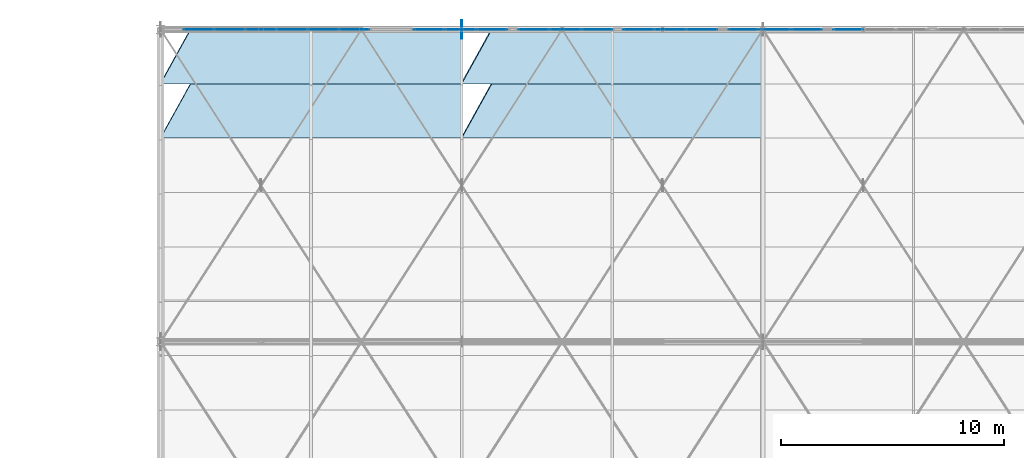
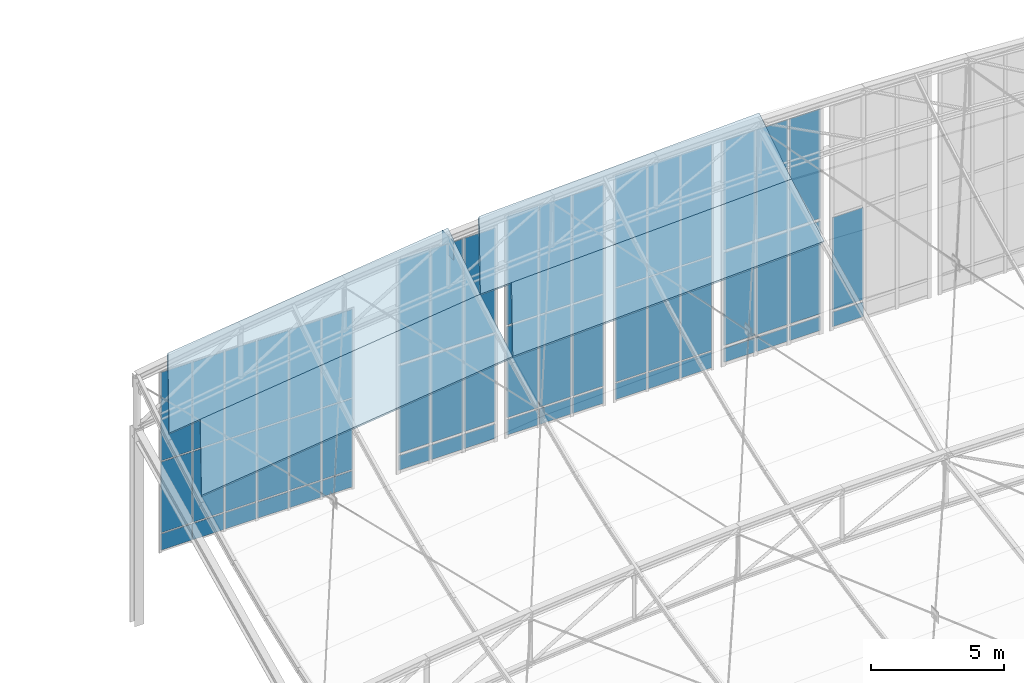
# One storey, part 236 of 262: 57 plates, 4 slabs, 6 elements without a shape of their own.
"""IFC4 building model written with IfcOpenShell, lengths in metres."""

from ifc_helpers import new_model, si_unit, derived_unit, direction, frame, origin, origin_2d, place, context, subcontext, project, spatial, polyline, rectangle, outline, extrude, material, layer, layer_set, type_object, element, aggregate, save


model = new_model("IFC4")

# Units and contexts
model_context = context("Model", 3, precision=1e-05, world=origin(), true_north=direction((0.0, 1.0)))
body_context = subcontext(model_context, "Body", "Model", "MODEL_VIEW")
ifc_project = project(units=[si_unit("LENGTHUNIT", "METRE"), si_unit("AREAUNIT", "SQUARE_METRE"), si_unit("VOLUMEUNIT", "CUBIC_METRE"), si_unit("PLANEANGLEUNIT", "RADIAN"), si_unit("MASSUNIT", "GRAM", prefix="KILO"), derived_unit("THERMALTRANSMITTANCEUNIT", [(si_unit("POWERUNIT", "WATT"), 1), (si_unit("LENGTHUNIT", "METRE"), -2), (si_unit("THERMODYNAMICTEMPERATUREUNIT", "KELVIN"), -1)])], contexts=[model_context])

# Site, building, storey
site_placement = place(None, origin())
site = spatial("IfcSite", under=ifc_project, at=site_placement, CompositionType="ELEMENT")
building_placement = place(site_placement, origin())
building = spatial("IfcBuilding", under=site, at=building_placement, Name="Almenara Railside Exhibition Hall", CompositionType="ELEMENT")
storey_placement = place(building_placement, frame((0.0, 0.0, 21.699951171875)))
storey = spatial("IfcBuildingStorey", under=building, at=storey_placement, Name="RF", CompositionType="ELEMENT", Elevation=21.699951171875)

# Curtain wall, plates
ifc_material_1 = material(Name="Bronze-anodised aluminium and low-E double glazing", Category="aluminium")
ifc_layer_1 = layer(ifc_material_1, 0.179931640625, Name="Bronze-anodised aluminium and low-E double glazing")
ifc_layer_set_1 = layer_set([ifc_layer_1], Name="Bronze-anodised aluminium and low-E double glazing")
curtain_wall_type_1 = type_object("IfcCurtainWallType", Name="Scroll Gable Tall Curtain Wall 3800x5400", PredefinedType="NOTDEFINED", material=ifc_layer_set_1)
curtain_wall_1_placement = place(storey_placement, origin())
curtain_wall_1 = element("IfcCurtainWall", 1, at=curtain_wall_1_placement, inside=storey, type_object=curtain_wall_type_1, Name="Curtain wall CW-G1-225", PredefinedType="NOTDEFINED")
ifc_material_2 = material(Name="Solar-control acoustic laminated glazing", Category="glass")
ifc_layer_2 = layer(ifc_material_2, 0.031982421875, Name="Solar-control acoustic laminated glazing")
ifc_layer_set_2 = layer_set([ifc_layer_2], Name="Solar-control acoustic laminated glazing")
plate_type_1 = type_object("IfcPlateType", Name="Acoustic Low-E Double Glazing Panel 32mm", PredefinedType="CURTAIN_PANEL", material=ifc_layer_set_2)
plate_1_placement = place(storey_placement, frame((150.032958984375, 132.0, -6.576171875), z_axis=(0.0, 0.0, 1.0), x_axis=(1.0, 0.0, 0.0)))
plate_1 = element("IfcPlate", 2, at=plate_1_placement, type_object=plate_type_1, Name="CW-G1-225 panel 1.1", PredefinedType="CURTAIN_PANEL", context=body_context, shape_type="SweptSolid", body=[
    extrude(rectangle(XDim=1.351806640625, YDim=0.031982421875, at=origin_2d()), origin(), (0.0, 0.0, 1.0), 0.672119140625),
])
plate_2_placement = place(storey_placement, frame((150.032958984375, 132.0, -5.7958984375), z_axis=(0.0, 0.0, 1.0), x_axis=(1.0, 0.0, 0.0)))
plate_2 = element("IfcPlate", 3, at=plate_2_placement, type_object=plate_type_1, Name="CW-G1-225 panel 1.2", PredefinedType="CURTAIN_PANEL", context=body_context, shape_type="SweptSolid", body=[
    extrude(rectangle(XDim=1.351806640625, YDim=0.031982421875, at=origin_2d()), origin(), (0.0, 0.0, 1.0), 3.991943359375),
])
plate_3_placement = place(storey_placement, frame((150.032958984375, 132.0, -1.696044921875), z_axis=(0.0, 0.0, 1.0), x_axis=(1.0, 0.0, 0.0)))
plate_3 = element("IfcPlate", 4, at=plate_3_placement, type_object=plate_type_1, Name="CW-G1-225 panel 1.3", PredefinedType="CURTAIN_PANEL", context=body_context, shape_type="SweptSolid", body=[
    extrude(rectangle(XDim=1.351806640625, YDim=0.031982421875, at=origin_2d()), origin(), (0.0, 0.0, 1.0), 4.77197265625),
])
plate_4_placement = place(storey_placement, frame((151.449951171875, 132.0, -6.576171875), z_axis=(0.0, 0.0, 1.0), x_axis=(1.0, 0.0, 0.0)))
plate_4 = element("IfcPlate", 5, at=plate_4_placement, type_object=plate_type_1, Name="CW-G1-225 panel 2.1", PredefinedType="CURTAIN_PANEL", context=body_context, shape_type="SweptSolid", body=[
    extrude(rectangle(XDim=1.38427734375, YDim=0.031982421875, at=origin_2d()), origin(), (0.0, 0.0, 1.0), 0.672119140625),
])
plate_5_placement = place(storey_placement, frame((151.449951171875, 132.0, -5.7958984375), z_axis=(0.0, 0.0, 1.0), x_axis=(1.0, 0.0, 0.0)))
plate_5 = element("IfcPlate", 6, at=plate_5_placement, type_object=plate_type_1, Name="CW-G1-225 panel 2.2", PredefinedType="CURTAIN_PANEL", context=body_context, shape_type="SweptSolid", body=[
    extrude(rectangle(XDim=1.38427734375, YDim=0.031982421875, at=origin_2d()), origin(), (0.0, 0.0, 1.0), 3.991943359375),
])
plate_6_placement = place(storey_placement, frame((151.449951171875, 132.0, -1.696044921875), z_axis=(0.0, 0.0, 1.0), x_axis=(1.0, 0.0, 0.0)))
plate_6 = element("IfcPlate", 7, at=plate_6_placement, type_object=plate_type_1, Name="CW-G1-225 panel 2.3", PredefinedType="CURTAIN_PANEL", context=body_context, shape_type="SweptSolid", body=[
    extrude(rectangle(XDim=1.38427734375, YDim=0.031982421875, at=origin_2d()), origin(), (0.0, 0.0, 1.0), 4.77197265625),
])
plate_7_placement = place(storey_placement, frame((152.8671875, 132.0, -6.576171875), z_axis=(0.0, 0.0, 1.0), x_axis=(1.0, 0.0, 0.0)))
plate_7 = element("IfcPlate", 8, at=plate_7_placement, type_object=plate_type_1, Name="CW-G1-225 panel 3.1", PredefinedType="CURTAIN_PANEL", context=body_context, shape_type="SweptSolid", body=[
    extrude(rectangle(XDim=1.351806640625, YDim=0.031982421875, at=origin_2d()), origin(), (0.0, 0.0, 1.0), 0.672119140625),
])
plate_8_placement = place(storey_placement, frame((152.8671875, 132.0, -5.7958984375), z_axis=(0.0, 0.0, 1.0), x_axis=(1.0, 0.0, 0.0)))
plate_8 = element("IfcPlate", 9, at=plate_8_placement, type_object=plate_type_1, Name="CW-G1-225 panel 3.2", PredefinedType="CURTAIN_PANEL", context=body_context, shape_type="SweptSolid", body=[
    extrude(rectangle(XDim=1.351806640625, YDim=0.031982421875, at=origin_2d()), origin(), (0.0, 0.0, 1.0), 3.991943359375),
])
plate_9_placement = place(storey_placement, frame((152.8671875, 132.0, -1.696044921875), z_axis=(0.0, 0.0, 1.0), x_axis=(1.0, 0.0, 0.0)))
plate_9 = element("IfcPlate", 10, at=plate_9_placement, type_object=plate_type_1, Name="CW-G1-225 panel 3.3", PredefinedType="CURTAIN_PANEL", context=body_context, shape_type="SweptSolid", body=[
    extrude(rectangle(XDim=1.351806640625, YDim=0.031982421875, at=origin_2d()), origin(), (0.0, 0.0, 1.0), 4.77197265625),
])
aggregate(curtain_wall_1, [plate_1, plate_2, plate_3, plate_4, plate_5, plate_6, plate_7, plate_8, plate_9])

curtain_wall_2_placement = place(storey_placement, origin())
curtain_wall_2 = element("IfcCurtainWall", 11, at=curtain_wall_2_placement, inside=storey, type_object=curtain_wall_type_1, Name="Curtain wall CW-G1-227", PredefinedType="NOTDEFINED")
ifc_material_3 = material(Name="Clear low-E laminated double glazing", Category="glass")
ifc_layer_3 = layer(ifc_material_3, 0.02392578125, Name="Clear low-E laminated double glazing")
ifc_layer_set_3 = layer_set([ifc_layer_3], Name="Clear low-E laminated double glazing")
plate_type_2 = type_object("IfcPlateType", Name="Courtyard Clear Double Glazing Panel 24mm", PredefinedType="CURTAIN_PANEL", material=ifc_layer_set_3)
plate_10_placement = place(storey_placement, frame((159.430419921875, 132.0, -6.6259765625), z_axis=(0.0, 0.0, 1.0), x_axis=(1.0, 0.0, 0.0)))
plate_10 = element("IfcPlate", 12, at=plate_10_placement, type_object=plate_type_2, Name="CW-G1-227 panel 1.1", PredefinedType="CURTAIN_PANEL", context=body_context, shape_type="SweptSolid", body=[
    extrude(rectangle(XDim=1.366943359375, YDim=0.02392578125, at=origin_2d()), origin(), (0.0, 0.0, 1.0), 0.7470703125),
])
plate_11_placement = place(storey_placement, frame((159.430419921875, 132.0, -5.821044921875), z_axis=(0.0, 0.0, 1.0), x_axis=(1.0, 0.0, 0.0)))
plate_11 = element("IfcPlate", 13, at=plate_11_placement, type_object=plate_type_2, Name="CW-G1-227 panel 1.2", PredefinedType="CURTAIN_PANEL", context=body_context, shape_type="SweptSolid", body=[
    extrude(rectangle(XDim=1.366943359375, YDim=0.02392578125, at=origin_2d()), origin(), (0.0, 0.0, 1.0), 4.2919921875),
])
plate_12_placement = place(storey_placement, frame((159.430419921875, 132.0, -1.470703125), z_axis=(0.0, 0.0, 1.0), x_axis=(1.0, 0.0, 0.0)))
plate_12 = element("IfcPlate", 14, at=plate_12_placement, type_object=plate_type_2, Name="CW-G1-227 panel 1.3", PredefinedType="CURTAIN_PANEL", context=body_context, shape_type="SweptSolid", body=[
    extrude(rectangle(XDim=1.366943359375, YDim=0.02392578125, at=origin_2d()), origin(), (0.0, 0.0, 1.0), 5.096923828125),
])
plate_13_placement = place(storey_placement, frame((160.85009765625, 132.0, -6.6259765625), z_axis=(0.0, 0.0, 1.0), x_axis=(1.0, 0.0, 0.0)))
plate_13 = element("IfcPlate", 15, at=plate_13_placement, type_object=plate_type_2, Name="CW-G1-227 panel 2.1", PredefinedType="CURTAIN_PANEL", context=body_context, shape_type="SweptSolid", body=[
    extrude(rectangle(XDim=1.394287109375, YDim=0.02392578125, at=origin_2d()), origin(), (0.0, 0.0, 1.0), 0.7470703125),
])
plate_14_placement = place(storey_placement, frame((160.85009765625, 132.0, -5.821044921875), z_axis=(0.0, 0.0, 1.0), x_axis=(1.0, 0.0, 0.0)))
plate_14 = element("IfcPlate", 16, at=plate_14_placement, type_object=plate_type_2, Name="CW-G1-227 panel 2.2", PredefinedType="CURTAIN_PANEL", context=body_context, shape_type="SweptSolid", body=[
    extrude(rectangle(XDim=1.394287109375, YDim=0.02392578125, at=origin_2d()), origin(), (0.0, 0.0, 1.0), 4.2919921875),
])
plate_15_placement = place(storey_placement, frame((160.85009765625, 132.0, -1.470703125), z_axis=(0.0, 0.0, 1.0), x_axis=(1.0, 0.0, 0.0)))
plate_15 = element("IfcPlate", 17, at=plate_15_placement, type_object=plate_type_2, Name="CW-G1-227 panel 2.3", PredefinedType="CURTAIN_PANEL", context=body_context, shape_type="SweptSolid", body=[
    extrude(rectangle(XDim=1.394287109375, YDim=0.02392578125, at=origin_2d()), origin(), (0.0, 0.0, 1.0), 5.096923828125),
])
plate_16_placement = place(storey_placement, frame((162.26953125, 132.0, -6.6259765625), z_axis=(0.0, 0.0, 1.0), x_axis=(1.0, 0.0, 0.0)))
plate_16 = element("IfcPlate", 18, at=plate_16_placement, type_object=plate_type_2, Name="CW-G1-227 panel 3.1", PredefinedType="CURTAIN_PANEL", context=body_context, shape_type="SweptSolid", body=[
    extrude(rectangle(XDim=1.366943359375, YDim=0.02392578125, at=origin_2d()), origin(), (0.0, 0.0, 1.0), 0.7470703125),
])
plate_17_placement = place(storey_placement, frame((162.26953125, 132.0, -5.821044921875), z_axis=(0.0, 0.0, 1.0), x_axis=(1.0, 0.0, 0.0)))
plate_17 = element("IfcPlate", 19, at=plate_17_placement, type_object=plate_type_2, Name="CW-G1-227 panel 3.2", PredefinedType="CURTAIN_PANEL", context=body_context, shape_type="SweptSolid", body=[
    extrude(rectangle(XDim=1.366943359375, YDim=0.02392578125, at=origin_2d()), origin(), (0.0, 0.0, 1.0), 4.2919921875),
])
plate_18_placement = place(storey_placement, frame((162.26953125, 132.0, -1.470703125), z_axis=(0.0, 0.0, 1.0), x_axis=(1.0, 0.0, 0.0)))
plate_18 = element("IfcPlate", 20, at=plate_18_placement, type_object=plate_type_2, Name="CW-G1-227 panel 3.3", PredefinedType="CURTAIN_PANEL", context=body_context, shape_type="SweptSolid", body=[
    extrude(rectangle(XDim=1.366943359375, YDim=0.02392578125, at=origin_2d()), origin(), (0.0, 0.0, 1.0), 5.096923828125),
])
aggregate(curtain_wall_2, [plate_10, plate_11, plate_12, plate_13, plate_14, plate_15, plate_16, plate_17, plate_18])

ifc_layer_4 = layer(ifc_material_1, 0.179931640625, Name="Bronze-anodised aluminium and low-E double glazing")
ifc_layer_set_4 = layer_set([ifc_layer_4], Name="Bronze-anodised aluminium and low-E double glazing")
curtain_wall_type_2 = type_object("IfcCurtainWallType", Name="Scroll Gable Standard Curtain Wall 3600x5000", PredefinedType="NOTDEFINED", material=ifc_layer_set_4)
curtain_wall_3_placement = place(storey_placement, origin())
curtain_wall_3 = element("IfcCurtainWall", 21, at=curtain_wall_3_placement, inside=storey, type_object=curtain_wall_type_2, Name="Curtain wall CW-G2-223", PredefinedType="NOTDEFINED")
ifc_material_4 = material(Name="Bronze-anodised insulated aluminium spandrel", Category="aluminium")
ifc_layer_5 = layer(ifc_material_4, 0.0400390625, Name="Bronze-anodised insulated aluminium spandrel")
ifc_layer_set_5 = layer_set([ifc_layer_5], Name="Bronze-anodised insulated aluminium spandrel")
plate_type_3 = type_object("IfcPlateType", Name="Insulated Bronze Spandrel Panel 40mm", PredefinedType="CURTAIN_PANEL", material=ifc_layer_set_5)
plate_19_placement = place(storey_placement, frame((139.7138671875, 132.0, -6.6259765625), z_axis=(0.0, 0.0, 1.0), x_axis=(1.0, 0.0, 0.0)))
plate_19 = element("IfcPlate", 22, at=plate_19_placement, type_object=plate_type_3, Name="CW-G2-223 panel 1.1", PredefinedType="CURTAIN_PANEL", context=body_context, shape_type="SweptSolid", body=[
    extrude(rectangle(XDim=1.33349609375, YDim=0.0400390625, at=origin_2d()), origin(), (0.0, 0.0, 1.0), 0.7470703125),
])
plate_20_placement = place(storey_placement, frame((139.7138671875, 132.0, -5.82080078125), z_axis=(0.0, 0.0, 1.0), x_axis=(1.0, 0.0, 0.0)))
plate_20 = element("IfcPlate", 23, at=plate_20_placement, type_object=plate_type_3, Name="CW-G2-223 panel 1.2", PredefinedType="CURTAIN_PANEL", context=body_context, shape_type="SweptSolid", body=[
    extrude(rectangle(XDim=1.33349609375, YDim=0.0400390625, at=origin_2d()), origin(), (0.0, 0.0, 1.0), 3.241943359375),
])
plate_21_placement = place(storey_placement, frame((139.7138671875, 132.0, -2.52099609375), z_axis=(0.0, 0.0, 1.0), x_axis=(1.0, 0.0, 0.0)))
plate_21 = element("IfcPlate", 24, at=plate_21_placement, type_object=plate_type_3, Name="CW-G2-223 panel 1.3", PredefinedType="CURTAIN_PANEL", context=body_context, shape_type="SweptSolid", body=[
    extrude(rectangle(XDim=1.33349609375, YDim=0.0400390625, at=origin_2d()), origin(), (0.0, 0.0, 1.0), 4.047119140625),
])
plate_22_placement = place(storey_placement, frame((141.10009765625, 132.0, -6.6259765625), z_axis=(0.0, 0.0, 1.0), x_axis=(1.0, 0.0, 0.0)))
plate_22 = element("IfcPlate", 25, at=plate_22_placement, type_object=plate_type_3, Name="CW-G2-223 panel 2.1", PredefinedType="CURTAIN_PANEL", context=body_context, shape_type="SweptSolid", body=[
    extrude(rectangle(XDim=1.361083984375, YDim=0.0400390625, at=origin_2d()), origin(), (0.0, 0.0, 1.0), 0.7470703125),
])
plate_23_placement = place(storey_placement, frame((141.10009765625, 132.0, -5.82080078125), z_axis=(0.0, 0.0, 1.0), x_axis=(1.0, 0.0, 0.0)))
plate_23 = element("IfcPlate", 26, at=plate_23_placement, type_object=plate_type_3, Name="CW-G2-223 panel 2.2", PredefinedType="CURTAIN_PANEL", context=body_context, shape_type="SweptSolid", body=[
    extrude(rectangle(XDim=1.361083984375, YDim=0.0400390625, at=origin_2d()), origin(), (0.0, 0.0, 1.0), 3.241943359375),
])
plate_24_placement = place(storey_placement, frame((141.10009765625, 132.0, -2.52099609375), z_axis=(0.0, 0.0, 1.0), x_axis=(1.0, 0.0, 0.0)))
plate_24 = element("IfcPlate", 27, at=plate_24_placement, type_object=plate_type_3, Name="CW-G2-223 panel 2.3", PredefinedType="CURTAIN_PANEL", context=body_context, shape_type="SweptSolid", body=[
    extrude(rectangle(XDim=1.361083984375, YDim=0.0400390625, at=origin_2d()), origin(), (0.0, 0.0, 1.0), 4.047119140625),
])
plate_25_placement = place(storey_placement, frame((142.5, 132.0, -6.6259765625), z_axis=(0.0, 0.0, 1.0), x_axis=(1.0, 0.0, 0.0)))
plate_25 = element("IfcPlate", 28, at=plate_25_placement, type_object=plate_type_3, Name="CW-G2-223 panel 3.1", PredefinedType="CURTAIN_PANEL", context=body_context, shape_type="SweptSolid", body=[
    extrude(rectangle(XDim=1.361083984375, YDim=0.0400390625, at=origin_2d()), origin(), (0.0, 0.0, 1.0), 0.7470703125),
])
plate_26_placement = place(storey_placement, frame((142.5, 132.0, -5.82080078125), z_axis=(0.0, 0.0, 1.0), x_axis=(1.0, 0.0, 0.0)))
plate_26 = element("IfcPlate", 29, at=plate_26_placement, type_object=plate_type_3, Name="CW-G2-223 panel 3.2", PredefinedType="CURTAIN_PANEL", context=body_context, shape_type="SweptSolid", body=[
    extrude(rectangle(XDim=1.361083984375, YDim=0.0400390625, at=origin_2d()), origin(), (0.0, 0.0, 1.0), 3.241943359375),
])
plate_27_placement = place(storey_placement, frame((142.5, 132.0, -2.52099609375), z_axis=(0.0, 0.0, 1.0), x_axis=(1.0, 0.0, 0.0)))
plate_27 = element("IfcPlate", 30, at=plate_27_placement, type_object=plate_type_3, Name="CW-G2-223 panel 3.3", PredefinedType="CURTAIN_PANEL", context=body_context, shape_type="SweptSolid", body=[
    extrude(rectangle(XDim=1.361083984375, YDim=0.0400390625, at=origin_2d()), origin(), (0.0, 0.0, 1.0), 4.047119140625),
])
plate_28_placement = place(storey_placement, frame((143.89990234375, 132.0, -6.6259765625), z_axis=(0.0, 0.0, 1.0), x_axis=(1.0, 0.0, 0.0)))
plate_28 = element("IfcPlate", 31, at=plate_28_placement, type_object=plate_type_3, Name="CW-G2-223 panel 4.1", PredefinedType="CURTAIN_PANEL", context=body_context, shape_type="SweptSolid", body=[
    extrude(rectangle(XDim=1.361083984375, YDim=0.0400390625, at=origin_2d()), origin(), (0.0, 0.0, 1.0), 0.7470703125),
])
plate_29_placement = place(storey_placement, frame((143.89990234375, 132.0, -5.82080078125), z_axis=(0.0, 0.0, 1.0), x_axis=(1.0, 0.0, 0.0)))
plate_29 = element("IfcPlate", 32, at=plate_29_placement, type_object=plate_type_3, Name="CW-G2-223 panel 4.2", PredefinedType="CURTAIN_PANEL", context=body_context, shape_type="SweptSolid", body=[
    extrude(rectangle(XDim=1.361083984375, YDim=0.0400390625, at=origin_2d()), origin(), (0.0, 0.0, 1.0), 3.241943359375),
])
plate_30_placement = place(storey_placement, frame((143.89990234375, 132.0, -2.52099609375), z_axis=(0.0, 0.0, 1.0), x_axis=(1.0, 0.0, 0.0)))
plate_30 = element("IfcPlate", 33, at=plate_30_placement, type_object=plate_type_3, Name="CW-G2-223 panel 4.3", PredefinedType="CURTAIN_PANEL", context=body_context, shape_type="SweptSolid", body=[
    extrude(rectangle(XDim=1.361083984375, YDim=0.0400390625, at=origin_2d()), origin(), (0.0, 0.0, 1.0), 4.047119140625),
])
plate_31_placement = place(storey_placement, frame((145.300048828125, 132.0, -6.6259765625), z_axis=(0.0, 0.0, 1.0), x_axis=(1.0, 0.0, 0.0)))
plate_31 = element("IfcPlate", 34, at=plate_31_placement, type_object=plate_type_3, Name="CW-G2-223 panel 5.1", PredefinedType="CURTAIN_PANEL", context=body_context, shape_type="SweptSolid", body=[
    extrude(rectangle(XDim=1.361083984375, YDim=0.0400390625, at=origin_2d()), origin(), (0.0, 0.0, 1.0), 0.7470703125),
])
plate_32_placement = place(storey_placement, frame((145.300048828125, 132.0, -5.82080078125), z_axis=(0.0, 0.0, 1.0), x_axis=(1.0, 0.0, 0.0)))
plate_32 = element("IfcPlate", 35, at=plate_32_placement, type_object=plate_type_3, Name="CW-G2-223 panel 5.2", PredefinedType="CURTAIN_PANEL", context=body_context, shape_type="SweptSolid", body=[
    extrude(rectangle(XDim=1.361083984375, YDim=0.0400390625, at=origin_2d()), origin(), (0.0, 0.0, 1.0), 3.241943359375),
])
plate_33_placement = place(storey_placement, frame((145.300048828125, 132.0, -2.52099609375), z_axis=(0.0, 0.0, 1.0), x_axis=(1.0, 0.0, 0.0)))
plate_33 = element("IfcPlate", 36, at=plate_33_placement, type_object=plate_type_3, Name="CW-G2-223 panel 5.3", PredefinedType="CURTAIN_PANEL", context=body_context, shape_type="SweptSolid", body=[
    extrude(rectangle(XDim=1.361083984375, YDim=0.0400390625, at=origin_2d()), origin(), (0.0, 0.0, 1.0), 4.047119140625),
])
plate_34_placement = place(storey_placement, frame((146.686279296875, 132.0, -6.6259765625), z_axis=(0.0, 0.0, 1.0), x_axis=(1.0, 0.0, 0.0)))
plate_34 = element("IfcPlate", 37, at=plate_34_placement, type_object=plate_type_3, Name="CW-G2-223 panel 6.1", PredefinedType="CURTAIN_PANEL", context=body_context, shape_type="SweptSolid", body=[
    extrude(rectangle(XDim=1.33349609375, YDim=0.0400390625, at=origin_2d()), origin(), (0.0, 0.0, 1.0), 0.7470703125),
])
plate_35_placement = place(storey_placement, frame((146.686279296875, 132.0, -5.82080078125), z_axis=(0.0, 0.0, 1.0), x_axis=(1.0, 0.0, 0.0)))
plate_35 = element("IfcPlate", 38, at=plate_35_placement, type_object=plate_type_3, Name="CW-G2-223 panel 6.2", PredefinedType="CURTAIN_PANEL", context=body_context, shape_type="SweptSolid", body=[
    extrude(rectangle(XDim=1.33349609375, YDim=0.0400390625, at=origin_2d()), origin(), (0.0, 0.0, 1.0), 3.241943359375),
])
plate_36_placement = place(storey_placement, frame((146.686279296875, 132.0, -2.52099609375), z_axis=(0.0, 0.0, 1.0), x_axis=(1.0, 0.0, 0.0)))
plate_36 = element("IfcPlate", 39, at=plate_36_placement, type_object=plate_type_3, Name="CW-G2-223 panel 6.3", PredefinedType="CURTAIN_PANEL", context=body_context, shape_type="SweptSolid", body=[
    extrude(rectangle(XDim=1.33349609375, YDim=0.0400390625, at=origin_2d()), origin(), (0.0, 0.0, 1.0), 4.047119140625),
])
aggregate(curtain_wall_3, [plate_19, plate_20, plate_21, plate_22, plate_23, plate_24, plate_25, plate_26, plate_27, plate_28, plate_29, plate_30, plate_31, plate_32, plate_33, plate_34, plate_35, plate_36])

curtain_wall_4_placement = place(storey_placement, origin())
curtain_wall_4 = element("IfcCurtainWall", 40, at=curtain_wall_4_placement, inside=storey, type_object=curtain_wall_type_1, Name="Curtain wall CW-G1-228", PredefinedType="NOTDEFINED")
plate_37_placement = place(storey_placement, frame((164.13427734375, 132.0, -6.555908203125), z_axis=(0.0, 0.0, 1.0), x_axis=(1.0, 0.0, 0.0)))
plate_37 = element("IfcPlate", 41, at=plate_37_placement, type_object=plate_type_3, Name="CW-G1-228 panel 1.1", PredefinedType="CURTAIN_PANEL", context=body_context, shape_type="SweptSolid", body=[
    extrude(rectangle(XDim=1.34423828125, YDim=0.0400390625, at=origin_2d()), origin(), (0.0, 0.0, 1.0), 0.64208984375),
])
plate_38_placement = place(storey_placement, frame((164.13427734375, 132.0, -5.785888671875), z_axis=(0.0, 0.0, 1.0), x_axis=(1.0, 0.0, 0.0)))
plate_38 = element("IfcPlate", 42, at=plate_38_placement, type_object=plate_type_3, Name="CW-G1-228 panel 1.2", PredefinedType="CURTAIN_PANEL", context=body_context, shape_type="SweptSolid", body=[
    extrude(rectangle(XDim=1.34423828125, YDim=0.0400390625, at=origin_2d()), origin(), (0.0, 0.0, 1.0), 4.2470703125),
])
plate_39_placement = place(storey_placement, frame((164.13427734375, 132.0, -1.410888671875), z_axis=(0.0, 0.0, 1.0), x_axis=(1.0, 0.0, 0.0)))
plate_39 = element("IfcPlate", 43, at=plate_39_placement, type_object=plate_type_3, Name="CW-G1-228 panel 1.3", PredefinedType="CURTAIN_PANEL", context=body_context, shape_type="SweptSolid", body=[
    extrude(rectangle(XDim=1.34423828125, YDim=0.0400390625, at=origin_2d()), origin(), (0.0, 0.0, 1.0), 5.01708984375),
])
plate_40_placement = place(storey_placement, frame((165.550048828125, 132.0, -6.555908203125), z_axis=(0.0, 0.0, 1.0), x_axis=(1.0, 0.0, 0.0)))
plate_40 = element("IfcPlate", 44, at=plate_40_placement, type_object=plate_type_3, Name="CW-G1-228 panel 2.1", PredefinedType="CURTAIN_PANEL", context=body_context, shape_type="SweptSolid", body=[
    extrude(rectangle(XDim=1.37939453125, YDim=0.0400390625, at=origin_2d()), origin(), (0.0, 0.0, 1.0), 0.64208984375),
])
plate_41_placement = place(storey_placement, frame((165.550048828125, 132.0, -5.785888671875), z_axis=(0.0, 0.0, 1.0), x_axis=(1.0, 0.0, 0.0)))
plate_41 = element("IfcPlate", 45, at=plate_41_placement, type_object=plate_type_3, Name="CW-G1-228 panel 2.2", PredefinedType="CURTAIN_PANEL", context=body_context, shape_type="SweptSolid", body=[
    extrude(rectangle(XDim=1.37939453125, YDim=0.0400390625, at=origin_2d()), origin(), (0.0, 0.0, 1.0), 4.2470703125),
])
plate_42_placement = place(storey_placement, frame((165.550048828125, 132.0, -1.410888671875), z_axis=(0.0, 0.0, 1.0), x_axis=(1.0, 0.0, 0.0)))
plate_42 = element("IfcPlate", 46, at=plate_42_placement, type_object=plate_type_3, Name="CW-G1-228 panel 2.3", PredefinedType="CURTAIN_PANEL", context=body_context, shape_type="SweptSolid", body=[
    extrude(rectangle(XDim=1.37939453125, YDim=0.0400390625, at=origin_2d()), origin(), (0.0, 0.0, 1.0), 5.01708984375),
])
plate_43_placement = place(storey_placement, frame((166.9658203125, 132.0, -6.555908203125), z_axis=(0.0, 0.0, 1.0), x_axis=(1.0, 0.0, 0.0)))
plate_43 = element("IfcPlate", 47, at=plate_43_placement, type_object=plate_type_3, Name="CW-G1-228 panel 3.1", PredefinedType="CURTAIN_PANEL", context=body_context, shape_type="SweptSolid", body=[
    extrude(rectangle(XDim=1.34423828125, YDim=0.0400390625, at=origin_2d()), origin(), (0.0, 0.0, 1.0), 0.64208984375),
])
plate_44_placement = place(storey_placement, frame((166.9658203125, 132.0, -5.785888671875), z_axis=(0.0, 0.0, 1.0), x_axis=(1.0, 0.0, 0.0)))
plate_44 = element("IfcPlate", 48, at=plate_44_placement, type_object=plate_type_3, Name="CW-G1-228 panel 3.2", PredefinedType="CURTAIN_PANEL", context=body_context, shape_type="SweptSolid", body=[
    extrude(rectangle(XDim=1.34423828125, YDim=0.0400390625, at=origin_2d()), origin(), (0.0, 0.0, 1.0), 4.2470703125),
])
plate_45_placement = place(storey_placement, frame((166.9658203125, 132.0, -1.410888671875), z_axis=(0.0, 0.0, 1.0), x_axis=(1.0, 0.0, 0.0)))
plate_45 = element("IfcPlate", 49, at=plate_45_placement, type_object=plate_type_3, Name="CW-G1-228 panel 3.3", PredefinedType="CURTAIN_PANEL", context=body_context, shape_type="SweptSolid", body=[
    extrude(rectangle(XDim=1.34423828125, YDim=0.0400390625, at=origin_2d()), origin(), (0.0, 0.0, 1.0), 5.01708984375),
])
aggregate(curtain_wall_4, [plate_37, plate_38, plate_39, plate_40, plate_41, plate_42, plate_43, plate_44, plate_45])

curtain_wall_5_placement = place(storey_placement, origin())
curtain_wall_5 = element("IfcCurtainWall", 50, at=curtain_wall_5_placement, inside=storey, type_object=curtain_wall_type_1, Name="Curtain wall CW-G1-229", PredefinedType="NOTDEFINED")
ifc_layer_6 = layer(ifc_material_4, 0.034912109375, Name="Bronze-anodised insulated aluminium spandrel")
ifc_layer_set_6 = layer_set([ifc_layer_6], Name="Bronze-anodised insulated aluminium spandrel")
plate_type_4 = type_object("IfcPlateType", Name="Insulated Stucco-Tone Spandrel Panel 35mm", PredefinedType="CURTAIN_PANEL", material=ifc_layer_set_6)
plate_46_placement = place(storey_placement, frame((168.8330078125, 132.0, -6.576171875), z_axis=(0.0, 0.0, 1.0), x_axis=(1.0, 0.0, 0.0)))
plate_46 = element("IfcPlate", 51, at=plate_46_placement, type_object=plate_type_4, Name="CW-G1-229 panel 1.1", PredefinedType="CURTAIN_PANEL", context=body_context, shape_type="SweptSolid", body=[
    extrude(rectangle(XDim=1.351806640625, YDim=0.034912109375, at=origin_2d()), origin(), (0.0, 0.0, 1.0), 0.672119140625),
])
plate_47_placement = place(storey_placement, frame((168.8330078125, 132.0, -5.7958984375), z_axis=(0.0, 0.0, 1.0), x_axis=(1.0, 0.0, 0.0)))
plate_47 = element("IfcPlate", 52, at=plate_47_placement, type_object=plate_type_4, Name="CW-G1-229 panel 1.2", PredefinedType="CURTAIN_PANEL", context=body_context, shape_type="SweptSolid", body=[
    extrude(rectangle(XDim=1.351806640625, YDim=0.034912109375, at=origin_2d()), origin(), (0.0, 0.0, 1.0), 4.22705078125),
])
aggregate(curtain_wall_5, [plate_46, plate_47])

curtain_wall_6_placement = place(storey_placement, origin())
curtain_wall_6 = element("IfcCurtainWall", 53, at=curtain_wall_6_placement, inside=storey, type_object=curtain_wall_type_1, Name="Curtain wall CW-G1-226", PredefinedType="NOTDEFINED")
ifc_material_5 = material(Name="Solar-control low-E laminated double glazing", Category="glass")
ifc_layer_7 = layer(ifc_material_5, 0.028076171875, Name="Solar-control low-E laminated double glazing")
ifc_layer_set_7 = layer_set([ifc_layer_7], Name="Solar-control low-E laminated double glazing")
plate_type_5 = type_object("IfcPlateType", Name="Low-E Solar Control Double Glazing Panel 28mm", PredefinedType="CURTAIN_PANEL", material=ifc_layer_set_7)
plate_48_placement = place(storey_placement, frame((154.731689453125, 132.0, -6.60595703125), z_axis=(0.0, 0.0, 1.0), x_axis=(1.0, 0.0, 0.0)))
plate_48 = element("IfcPlate", 54, at=plate_48_placement, type_object=plate_type_5, Name="CW-G1-226 panel 1.1", PredefinedType="CURTAIN_PANEL", context=body_context, shape_type="SweptSolid", body=[
    extrude(rectangle(XDim=1.359375, YDim=0.028076171875, at=origin_2d()), origin(), (0.0, 0.0, 1.0), 0.717041015625),
])
plate_49_placement = place(storey_placement, frame((154.731689453125, 132.0, -5.81103515625), z_axis=(0.0, 0.0, 1.0), x_axis=(1.0, 0.0, 0.0)))
plate_49 = element("IfcPlate", 55, at=plate_49_placement, type_object=plate_type_5, Name="CW-G1-226 panel 1.2", PredefinedType="CURTAIN_PANEL", context=body_context, shape_type="SweptSolid", body=[
    extrude(rectangle(XDim=1.359375, YDim=0.028076171875, at=origin_2d()), origin(), (0.0, 0.0, 1.0), 4.177001953125),
])
plate_50_placement = place(storey_placement, frame((154.731689453125, 132.0, -1.55615234375), z_axis=(0.0, 0.0, 1.0), x_axis=(1.0, 0.0, 0.0)))
plate_50 = element("IfcPlate", 56, at=plate_50_placement, type_object=plate_type_5, Name="CW-G1-226 panel 1.3", PredefinedType="CURTAIN_PANEL", context=body_context, shape_type="SweptSolid", body=[
    extrude(rectangle(XDim=1.359375, YDim=0.028076171875, at=origin_2d()), origin(), (0.0, 0.0, 1.0), 4.971923828125),
])
plate_51_placement = place(storey_placement, frame((156.14990234375, 132.0, -6.60595703125), z_axis=(0.0, 0.0, 1.0), x_axis=(1.0, 0.0, 0.0)))
plate_51 = element("IfcPlate", 57, at=plate_51_placement, type_object=plate_type_5, Name="CW-G1-226 panel 2.1", PredefinedType="CURTAIN_PANEL", context=body_context, shape_type="SweptSolid", body=[
    extrude(rectangle(XDim=1.389404296875, YDim=0.028076171875, at=origin_2d()), origin(), (0.0, 0.0, 1.0), 0.717041015625),
])
plate_52_placement = place(storey_placement, frame((156.14990234375, 132.0, -5.81103515625), z_axis=(0.0, 0.0, 1.0), x_axis=(1.0, 0.0, 0.0)))
plate_52 = element("IfcPlate", 58, at=plate_52_placement, type_object=plate_type_5, Name="CW-G1-226 panel 2.2", PredefinedType="CURTAIN_PANEL", context=body_context, shape_type="SweptSolid", body=[
    extrude(rectangle(XDim=1.389404296875, YDim=0.028076171875, at=origin_2d()), origin(), (0.0, 0.0, 1.0), 4.177001953125),
])
plate_53_placement = place(storey_placement, frame((156.14990234375, 132.0, -1.55615234375), z_axis=(0.0, 0.0, 1.0), x_axis=(1.0, 0.0, 0.0)))
plate_53 = element("IfcPlate", 59, at=plate_53_placement, type_object=plate_type_5, Name="CW-G1-226 panel 2.3", PredefinedType="CURTAIN_PANEL", context=body_context, shape_type="SweptSolid", body=[
    extrude(rectangle(XDim=1.389404296875, YDim=0.028076171875, at=origin_2d()), origin(), (0.0, 0.0, 1.0), 4.971923828125),
])
plate_54_placement = place(storey_placement, frame((157.568359375, 132.0, -6.60595703125), z_axis=(0.0, 0.0, 1.0), x_axis=(1.0, 0.0, 0.0)))
plate_54 = element("IfcPlate", 60, at=plate_54_placement, type_object=plate_type_5, Name="CW-G1-226 panel 3.1", PredefinedType="CURTAIN_PANEL", context=body_context, shape_type="SweptSolid", body=[
    extrude(rectangle(XDim=1.359375, YDim=0.028076171875, at=origin_2d()), origin(), (0.0, 0.0, 1.0), 0.717041015625),
])
plate_55_placement = place(storey_placement, frame((157.568359375, 132.0, -5.81103515625), z_axis=(0.0, 0.0, 1.0), x_axis=(1.0, 0.0, 0.0)))
plate_55 = element("IfcPlate", 61, at=plate_55_placement, type_object=plate_type_5, Name="CW-G1-226 panel 3.2", PredefinedType="CURTAIN_PANEL", context=body_context, shape_type="SweptSolid", body=[
    extrude(rectangle(XDim=1.359375, YDim=0.028076171875, at=origin_2d()), origin(), (0.0, 0.0, 1.0), 4.177001953125),
])
plate_56_placement = place(storey_placement, frame((157.568359375, 132.0, -1.55615234375), z_axis=(0.0, 0.0, 1.0), x_axis=(1.0, 0.0, 0.0)))
plate_56 = element("IfcPlate", 62, at=plate_56_placement, type_object=plate_type_5, Name="CW-G1-226 panel 3.3", PredefinedType="CURTAIN_PANEL", context=body_context, shape_type="SweptSolid", body=[
    extrude(rectangle(XDim=1.359375, YDim=0.028076171875, at=origin_2d()), origin(), (0.0, 0.0, 1.0), 4.971923828125),
])
aggregate(curtain_wall_6, [plate_48, plate_49, plate_50, plate_51, plate_52, plate_53, plate_54, plate_55, plate_56])

# Slabs
ifc_material_6 = material(Name="White standing-seam insulated steel S355JR roof deck", Category="steel")
ifc_layer_8 = layer(ifc_material_6, 0.179931640625, Name="White standing-seam insulated steel S355JR roof deck")
ifc_layer_set_8 = layer_set([ifc_layer_8], Name="White standing-seam insulated steel S355JR roof deck")
slab_type = type_object("IfcSlabType", Name="Scroll Tip Standing-Seam Cassette 180mm S355JR", PredefinedType="ROOF", material=ifc_layer_set_8)
slab_1_placement = place(storey_placement, frame((138.0, 127.126708984375, -0.79736328125), z_axis=(-0.10579355226, -0.489472279321, 0.865577617592), x_axis=(0.992613648152, -3.397961e-06, 0.121318364197)))
element("IfcSlab", 63, at=slab_1_placement, inside=storey, type_object=slab_type, Name="V2 roof cassette RC-V2-27A", PredefinedType="ROOF", context=body_context, shape_type="SweptSolid", body=[
    extrude(outline(polyline([(0.0, 0.0), (13.600447703476437, 1.1102230246251565e-16), (13.76760759993059, 2.7941714774300825), (1.527277906735367, 2.7940707847070643), (0.0, 0.0)])), origin(), (0.0, 0.0, -1.0), 0.179931640625),
])
slab_2_placement = place(storey_placement, frame((151.5, 127.126708984375, 0.8525390625), z_axis=(-0.035446342143, -0.491943826725, 0.869905068485), x_axis=(0.99917088796, -1.287294e-06, 0.040712856104)))
element("IfcSlab", 64, at=slab_2_placement, inside=storey, type_object=slab_type, Name="V2 roof cassette RC-V2-27B", PredefinedType="ROOF", context=body_context, shape_type="SweptSolid", body=[
    extrude(outline(polyline([(0.0, 0.0), (13.511201046245729, 0.0), (13.56729736281328, 2.79860498948998), (1.407311014575511, 2.7985670325255994), (0.0, 0.0)])), origin(), (0.0, 0.0, -1.0), 0.179931640625),
])
slab_3_placement = place(storey_placement, frame((138.0, 129.563232421875, 0.580322265625), z_axis=(-0.102410833569, -0.536230583524, 0.837835772966), x_axis=(0.992612262248, 2.16932e-07, 0.121329703019)))
element("IfcSlab", 65, at=slab_3_placement, inside=storey, type_object=slab_type, Name="V2 roof cassette RC-V2-28A", PredefinedType="ROOF", context=body_context, shape_type="SweptSolid", body=[
    extrude(outline(polyline([(0.0, 0.0), (13.600477323236303, 3.3306690738754696e-16), (13.789700054701832, 2.886917135509605), (1.5493703607313476, 2.8869237767574942), (0.0, 0.0)])), origin(), (0.0, 0.0, -1.0), 0.179931640625),
])
slab_4_placement = place(storey_placement, frame((151.5, 129.563232421875, 2.23046875), z_axis=(-0.034300158107, -0.538736117243, 0.841776036207), x_axis=(0.999170893861, -1.364152e-06, 0.040712711271)))
element("IfcSlab", 66, at=slab_4_placement, inside=storey, type_object=slab_type, Name="V2 roof cassette RC-V2-28B", PredefinedType="ROOF", context=body_context, shape_type="SweptSolid", body=[
    extrude(outline(polyline([(0.0, 0.0), (13.511201046248674, 0.0), (13.574692057965786, 2.892415025492225), (1.414705709736551, 2.892373458169897), (0.0, 0.0)])), origin(), (0.0, 0.0, -1.0), 0.179931640625),
])

# Plate
ifc_material_7 = material(Name="Structural steel S355JR", Category="steel")
ifc_layer_9 = layer(ifc_material_7, 0.028076171875, Name="Structural steel S355JR")
ifc_layer_set_9 = layer_set([ifc_layer_9], Name="Structural steel S355JR")
plate_type_6 = type_object("IfcPlateType", Name="Truss Node Gusset Plate 28mm S355JR", PredefinedType="USERDEFINED", material=ifc_layer_set_9)
plate_57_placement = place(storey_placement, frame((151.5, 132.0, 2.574951171875), z_axis=(0.0, 0.0, 1.0), x_axis=(0.0, 1.0, 0.0)))
element("IfcPlate", 67, at=plate_57_placement, inside=storey, type_object=plate_type_6, Name="PLT-GUS-0149", ObjectType="GUSSET_PLATE", PredefinedType="USERDEFINED", context=body_context, shape_type="SweptSolid", body=[
    extrude(rectangle(XDim=0.85009765625, YDim=0.028076171875, at=origin_2d()), origin(), (0.0, 0.0, 1.0), 0.85009765625),
])

save(model, "model.ifc")
